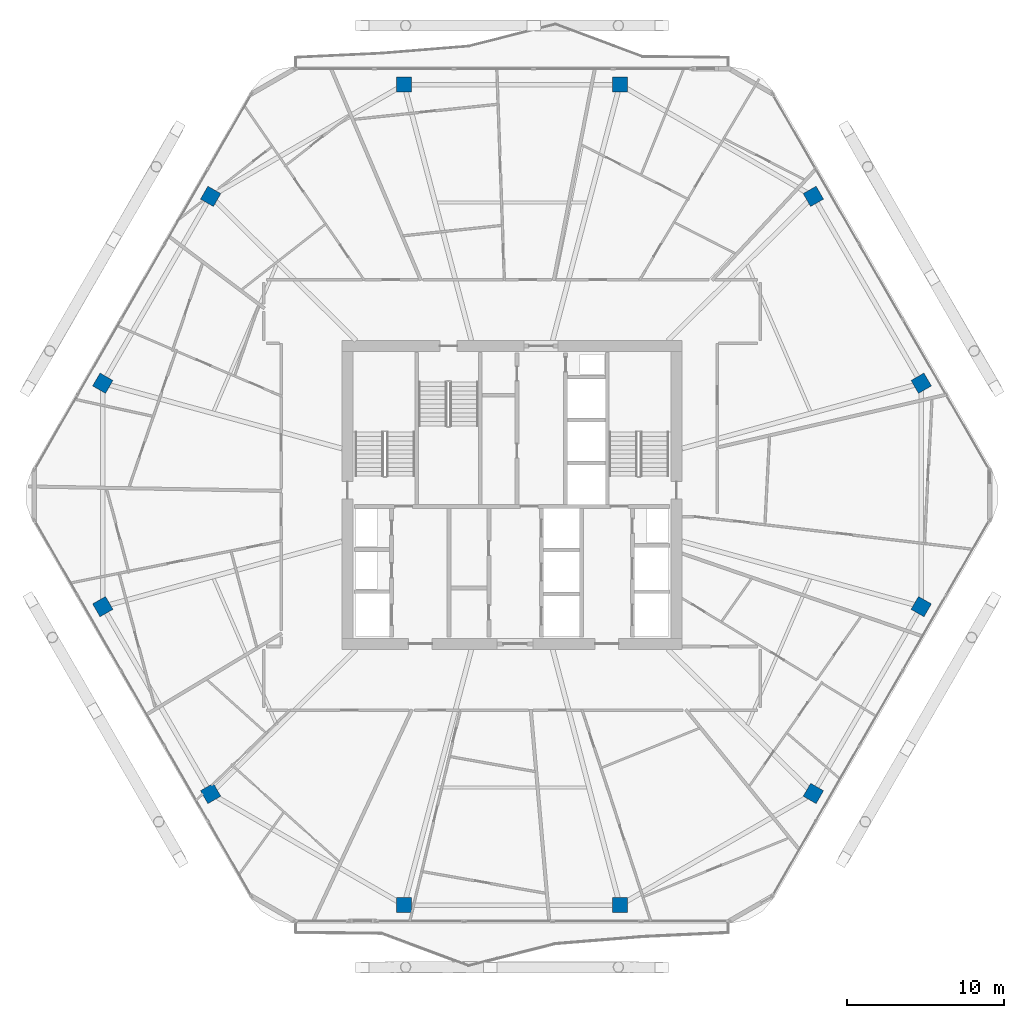
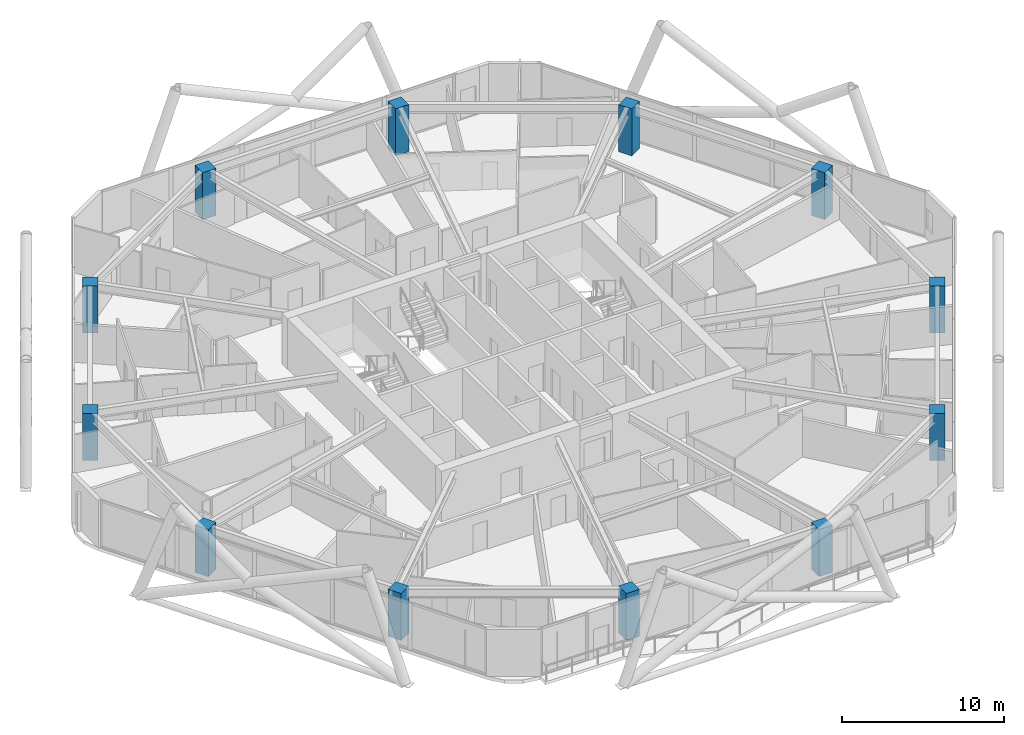
# One storey, part 1 of 28: 12 columns.
"""IFC4 building model written with IfcOpenShell, lengths in metres."""

from ifc_helpers import new_model, si_unit, direction, frame, origin, origin_2d, place, context, subcontext, project, spatial, rectangle, extrude, material, material_profile, profile_set, type_object, element, save


model = new_model("IFC4")

# Units and contexts
model_context = context("Model", 3, precision=1e-05, world=origin(), true_north=direction((0.0, 1.0)))
body_context = subcontext(model_context, "Body", "Model", "MODEL_VIEW")
ifc_project = project(units=[si_unit("LENGTHUNIT", "METRE"), si_unit("AREAUNIT", "SQUARE_METRE"), si_unit("VOLUMEUNIT", "CUBIC_METRE"), si_unit("PLANEANGLEUNIT", "RADIAN"), si_unit("MASSUNIT", "GRAM", prefix="KILO")], contexts=[model_context])

# Site, building, storey
site_placement = place(None, origin())
site = spatial("IfcSite", under=ifc_project, at=site_placement, CompositionType="ELEMENT")
building_placement = place(site_placement, origin())
building = spatial("IfcBuilding", under=site, at=building_placement, Name="Zuhravey Tower", CompositionType="ELEMENT")
storey_placement = place(building_placement, frame((0.0, 0.0, 207.39990234375)))
storey = spatial("IfcBuildingStorey", under=building, at=storey_placement, Name="L52", CompositionType="ELEMENT", Elevation=207.39990234375)

# Columns
ifc_material = material(Name="Concrete C50/60", Category="concrete")
ifc_material_profile = material_profile(ifc_material, rectangle(XDim=0.949951171875, YDim=0.949951171875, at=origin_2d()), Name="RC-950x950")
ifc_profile_set = profile_set([ifc_material_profile], Name="Concrete C50/60")
column_type = type_object("IfcColumnType", Name="Zone 2 Upper Column 950x950", PredefinedType="COLUMN", material=ifc_profile_set)
for number, where, z_axis, x_axis, name in (
    (1, (62.107666015625, 39.12646484375, 0.0), (0.0, 0.0, 1.0), (-0.5, 0.866025403784, 0.0), "L52 Perimeter Column PC01"),
    (2, (55.2255859375, 51.046630859375, 0.0), (0.0, 0.0, 1.0), (-0.5, 0.866025403784, 0.0), "L52 Perimeter Column PC02"),
    (3, (42.882080078125, 58.173095703125, 0.0), (0.0, 0.0, 1.0), (-1.0, 0.0, 0.0), "L52 Perimeter Column PC03"),
    (4, (29.117919921875, 58.173095703125, 0.0), (0.0, 0.0, 1.0), (-1.0, 0.0, 0.0), "L52 Perimeter Column PC04"),
    (5, (16.7744140625, 51.046630859375, 0.0), (0.0, 0.0, 1.0), (-0.5, -0.866025403784, 0.0), "L52 Perimeter Column PC05"),
    (6, (9.892333984375, 39.12646484375, 0.0), (0.0, 0.0, 1.0), (-0.5, -0.866025403784, 0.0), "L52 Perimeter Column PC06"),
    (7, (9.892333984375, 24.87353515625, 0.0), (0.0, 0.0, 1.0), (0.5, -0.866025403784, 0.0), "L52 Perimeter Column PC07"),
    (8, (16.7744140625, 12.953369140625, 0.0), (0.0, 0.0, 1.0), (0.5, -0.866025403784, 0.0), "L52 Perimeter Column PC08"),
    (9, (29.117919921875, 5.826904296875, 0.0), (0.0, 0.0, 1.0), (1.0, 0.0, 0.0), "L52 Perimeter Column PC09"),
    (10, (42.882080078125, 5.826904296875, 0.0), (0.0, 0.0, 1.0), (1.0, 0.0, 0.0), "L52 Perimeter Column PC10"),
    (11, (55.2255859375, 12.953369140625, 0.0), (0.0, 0.0, 1.0), (0.5, 0.866025403784, 0.0), "L52 Perimeter Column PC11"),
    (12, (62.107666015625, 24.87353515625, 0.0), (0.0, 0.0, 1.0), (0.5, 0.866025403784, 0.0), "L52 Perimeter Column PC12"),
):
    element("IfcColumn", number, at=place(storey_placement, frame(where, z_axis=z_axis, x_axis=x_axis)), inside=storey, type_object=column_type, Name=name, PredefinedType="COLUMN", context=body_context, shape_type="SweptSolid", body=[
        extrude(rectangle(XDim=0.949951171875, YDim=0.949951171875, at=origin_2d()), origin(), (0.0, 0.0, 1.0), 3.550048828125),
    ])

save(model, "model.ifc")
